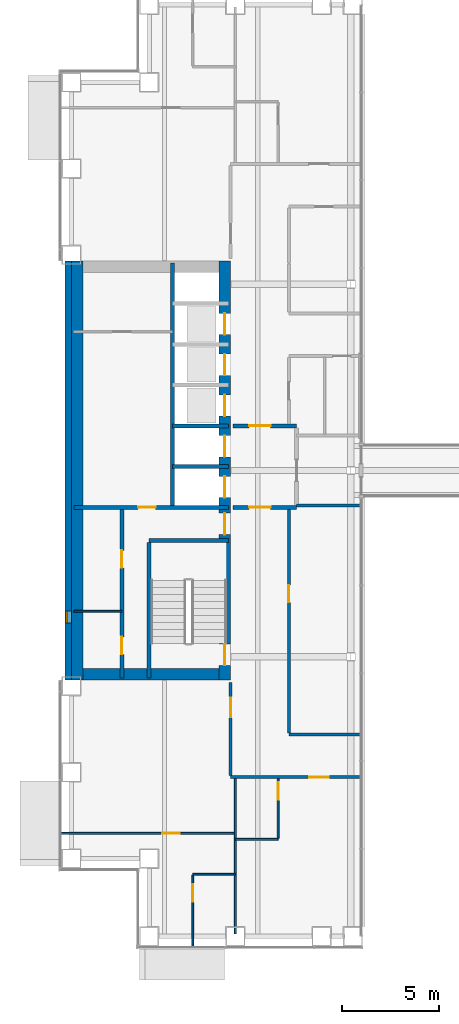
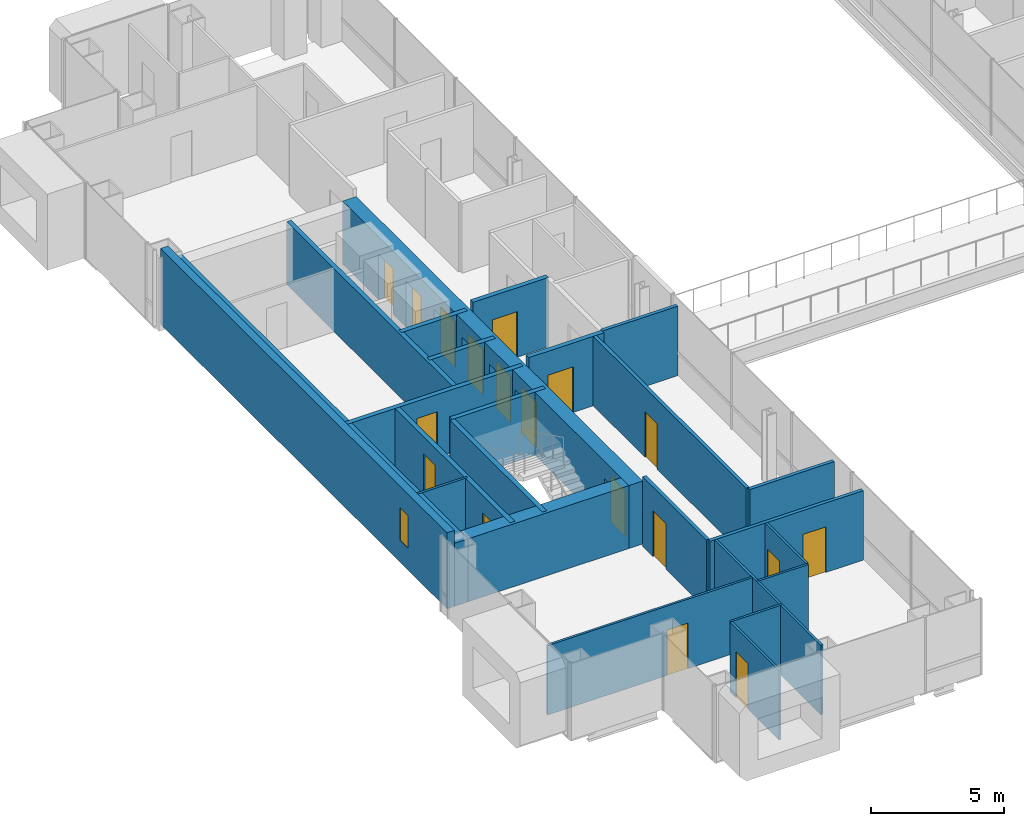
# One storey, part 14 of 21: 25 walls, 18 doors, 1 window, 19 openings.
"""IFC4 building model written with IfcOpenShell, lengths in metres."""

from ifc_helpers import new_model, si_unit, direction, frame, frame_2d, origin, place, context, subcontext, project, spatial, rectangle, extrude, material, layer, layer_set, type_object, element, fill, save


model = new_model("IFC4")

# Units and contexts
model_context = context("Model", 3, precision=1e-05, world=origin(), true_north=direction((0.0, 1.0)))
body_context = subcontext(model_context, "Body", "Model", "MODEL_VIEW")
ifc_project = project(units=[si_unit("LENGTHUNIT", "METRE"), si_unit("AREAUNIT", "SQUARE_METRE"), si_unit("VOLUMEUNIT", "CUBIC_METRE"), si_unit("PLANEANGLEUNIT", "RADIAN"), si_unit("MASSUNIT", "GRAM", prefix="KILO")], contexts=[model_context])

# Site, building, storey
site_placement = place(None, origin())
site = spatial("IfcSite", under=ifc_project, at=site_placement, CompositionType="ELEMENT")
building_placement = place(site_placement, origin())
building = spatial("IfcBuilding", under=site, at=building_placement, Name="Cobrizo Arcos Hotel Tower", CompositionType="ELEMENT")
storey_placement = place(building_placement, frame((0.0, 0.0, 81.0)))
storey = spatial("IfcBuildingStorey", under=building, at=storey_placement, Name="L19", CompositionType="ELEMENT", Elevation=81.0)

# Wall, opening, door
ifc_material_1 = material(Name="Gypsum board partition")
ifc_layer_1 = layer(ifc_material_1, 0.14990234375)
ifc_layer_set_1 = layer_set([ifc_layer_1], Name="Corridor wall EI 60 150")
wall_type_1 = type_object("IfcWallType", Name="Corridor wall EI 60 150", PredefinedType="PARTITIONING", material=ifc_layer_set_1)
wall_1_placement = place(storey_placement, frame((-15.800048828125, -15.800048828125, 0.0), z_axis=(0.0, 0.0, 1.0), x_axis=(1.0, 0.0, 0.0)))
wall_1 = element("IfcWall", 1, at=wall_1_placement, inside=storey, type_object=wall_type_1, Name="Partition 007", PredefinedType="PARTITIONING", context=body_context, shape_type="SweptSolid", body=[
    extrude(rectangle(XDim=6.679931640625, YDim=0.14990234375, at=frame_2d((3.33984375, 0.0))), origin(), (0.0, 0.0, 1.0), 3.199951171875),
])
opening_1_placement = place(wall_1_placement, frame((4.047119140625, 0.0, 0.0)))
opening_1 = element("IfcOpeningElement", 2, at=opening_1_placement, cuts=wall_1, Name="Opening GD-04", PredefinedType="OPENING", context=body_context, shape_type="SweptSolid", body=[
    extrude(rectangle(XDim=1.0, YDim=2.10009765625, at=frame_2d((0.5, 1.050048828125))), frame((0.0, 0.0869140625, 0.0), z_axis=(0.0, -1.0, 0.0), x_axis=(1.0, 0.0, 0.0)), (0.0, 0.0, 1.0), 0.173828125),
])
ifc_material_2 = material(Name="Timber door leaf", Category="wood")
door_type_1 = type_object("IfcDoorType", Name="Guest room door FD30S 1000x2100", OperationType="SINGLE_SWING_LEFT", PredefinedType="DOOR", material=ifc_material_2)
door_1_placement = place(opening_1_placement, origin())
door_1 = element("IfcDoor", 3, at=door_1_placement, inside=storey, type_object=door_type_1, Name="Door GD-04", OperationType="SINGLE_SWING_LEFT", OverallHeight=2.10009765625, OverallWidth=1.0, PredefinedType="DOOR", context=body_context, shape_type="SweptSolid", body=[
    extrude(rectangle(XDim=1.0, YDim=2.10009765625, at=frame_2d((0.5, 1.050048828125))), frame((0.0, 0.02490234375, 0.0), z_axis=(0.0, -1.0, 0.0), x_axis=(1.0, 0.0, 0.0)), (0.0, 0.0, 1.0), 0.050048828125),
])
fill(opening_1, door_1)

# Walls
wall_2_placement = place(storey_placement, frame((-12.800048828125, -13.60009765625, 0.0), z_axis=(0.0, 0.0, 1.0), x_axis=(1.0, 0.0, 0.0)))
element("IfcWall", 4, at=wall_2_placement, inside=storey, type_object=wall_type_1, Name="Partition 009", PredefinedType="PARTITIONING", context=body_context, shape_type="SweptSolid", body=[
    extrude(rectangle(XDim=3.679931640625, YDim=0.14990234375, at=frame_2d((1.83984375, 0.0))), origin(), (0.0, 0.0, 1.0), 3.199951171875),
])
wall_3_placement = place(storey_placement, frame((-12.39990234375, -1.800048828125, 0.0), z_axis=(0.0, 0.0, 1.0), x_axis=(1.0, 0.0, 0.0)))
element("IfcWall", 5, at=wall_3_placement, inside=storey, type_object=wall_type_1, Name="Partition 019", PredefinedType="PARTITIONING", context=body_context, shape_type="SweptSolid", body=[
    extrude(rectangle(XDim=3.27978515625, YDim=0.14990234375, at=frame_2d((1.639892578125, 0.0))), origin(), (0.0, 0.0, 1.0), 3.199951171875),
])

# Wall, opening, door
wall_4_placement = place(storey_placement, frame((-15.800048828125, -15.72509765625, 0.0), z_axis=(0.0, 0.0, 1.0), x_axis=(0.0, 1.0, 0.0)))
wall_4 = element("IfcWall", 6, at=wall_4_placement, inside=storey, type_object=wall_type_1, Name="Partition 055", PredefinedType="PARTITIONING", context=body_context, shape_type="SweptSolid", body=[
    extrude(rectangle(XDim=4.80517578125, YDim=0.14990234375, at=frame_2d((2.402587890625, 0.0))), origin(), (0.0, 0.0, 1.0), 3.199951171875),
])
opening_2_placement = place(wall_4_placement, frame((3.02490234375, 0.0, 0.0)))
opening_2 = element("IfcOpeningElement", 7, at=opening_2_placement, cuts=wall_4, Name="Opening GD-05", PredefinedType="OPENING", context=body_context, shape_type="SweptSolid", body=[
    extrude(rectangle(XDim=1.0, YDim=2.10009765625, at=frame_2d((0.5, 1.050048828125))), frame((0.0, 0.0869140625, 0.0), z_axis=(0.0, -1.0, 0.0), x_axis=(1.0, 0.0, 0.0)), (0.0, 0.0, 1.0), 0.173828125),
])
door_2_placement = place(opening_2_placement, origin())
door_2 = element("IfcDoor", 8, at=door_2_placement, inside=storey, type_object=door_type_1, Name="Door GD-05", OperationType="SINGLE_SWING_RIGHT", OverallHeight=2.10009765625, OverallWidth=1.0, PredefinedType="DOOR", context=body_context, shape_type="SweptSolid", body=[
    extrude(rectangle(XDim=1.0, YDim=2.10009765625, at=frame_2d((0.5, 1.050048828125))), frame((0.0, 0.02490234375, 0.0), z_axis=(0.0, -1.0, 0.0), x_axis=(1.0, 0.0, 0.0)), (0.0, 0.0, 1.0), 0.050048828125),
])
fill(opening_2, door_2)

wall_5_placement = place(storey_placement, frame((-12.800048828125, -13.52490234375, 0.0), z_axis=(0.0, 0.0, 1.0), x_axis=(0.0, 1.0, 0.0)))
wall_5 = element("IfcWall", 9, at=wall_5_placement, inside=storey, type_object=wall_type_1, Name="Partition 061", PredefinedType="PARTITIONING", context=body_context, shape_type="SweptSolid", body=[
    extrude(rectangle(XDim=11.52490234375, YDim=0.14990234375, at=frame_2d((5.762451171875, 0.0))), origin(), (0.0, 0.0, 1.0), 3.199951171875),
])
opening_3_placement = place(wall_5_placement, frame((6.72509765625, 0.0, 0.0)))
opening_3 = element("IfcOpeningElement", 10, at=opening_3_placement, cuts=wall_5, Name="Opening RD-17", PredefinedType="OPENING", context=body_context, shape_type="SweptSolid", body=[
    extrude(rectangle(XDim=0.89990234375, YDim=2.10009765625, at=frame_2d((0.449951171875, 1.050048828125))), frame((0.0, 0.0869140625, 0.0), z_axis=(0.0, -1.0, 0.0), x_axis=(1.0, 0.0, 0.0)), (0.0, 0.0, 1.0), 0.173828125),
])
door_type_2 = type_object("IfcDoorType", Name="Room door FD30 900x2100", OperationType="SINGLE_SWING_LEFT", PredefinedType="DOOR", material=ifc_material_2)
door_3_placement = place(opening_3_placement, origin())
door_3 = element("IfcDoor", 11, at=door_3_placement, inside=storey, type_object=door_type_2, Name="Door RD-17", OperationType="SINGLE_SWING_RIGHT", OverallHeight=2.10009765625, OverallWidth=0.89990234375, PredefinedType="DOOR", context=body_context, shape_type="SweptSolid", body=[
    extrude(rectangle(XDim=0.89990234375, YDim=2.10009765625, at=frame_2d((0.449951171875, 1.050048828125))), frame((0.0, 0.02490234375, 0.0), z_axis=(0.0, -1.0, 0.0), x_axis=(1.0, 0.0, 0.0)), (0.0, 0.0, 1.0), 0.050048828125),
])
fill(opening_3, door_3)

# Wall, opening, window
ifc_material_3 = material(Name="Aluminium composite panel pale metal", Category="aluminium")
ifc_layer_2 = layer(ifc_material_3, 0.324951171875)
ifc_layer_set_2 = layer_set([ifc_layer_2], Name="EW-1 insulated panel wall 325")
wall_type_2 = type_object("IfcWallType", Name="EW-1 insulated panel wall 325", PredefinedType="SOLIDWALL", material=ifc_layer_set_2)
wall_6_placement = place(storey_placement, frame((-24.16259765625, 10.800048828125, 0.0), z_axis=(0.0, 0.0, 1.0), x_axis=(0.0, -1.0, 0.0)))
wall_6 = element("IfcWall", 12, at=wall_6_placement, inside=storey, type_object=wall_type_2, Name="Core face wall L19 W", PredefinedType="SOLIDWALL", context=body_context, shape_type="SweptSolid", body=[
    extrude(rectangle(XDim=21.60009765625, YDim=0.324951171875, at=frame_2d((10.800048828125, 0.0))), origin(), (0.0, 0.0, 1.0), 3.5),
])
opening_4_placement = place(wall_6_placement, frame((18.050048828125, 0.0, 1.0)))
opening_4 = element("IfcOpeningElement", 13, at=opening_4_placement, cuts=wall_6, Name="Opening W-34", PredefinedType="OPENING", context=body_context, shape_type="SweptSolid", body=[
    extrude(rectangle(XDim=0.60009765625, YDim=1.5, at=frame_2d((0.300048828125, 0.75))), frame((0.0, 0.174560546875, 0.0), z_axis=(0.0, -1.0, 0.0), x_axis=(1.0, 0.0, 0.0)), (0.0, 0.0, 1.0), 0.348876953125),
])
ifc_material_4 = material(Name="Aluminium 6063-T6 and clear laminated glass", Category="aluminium")
window_type = type_object("IfcWindowType", Name="W-C1 core stair slot window 600x1500", PartitioningType="SINGLE_PANEL", PredefinedType="WINDOW", material=ifc_material_4)
window_placement = place(opening_4_placement, origin())
window = element("IfcWindow", 14, at=window_placement, inside=storey, type_object=window_type, Name="Core face wall L19 W window W-34", OverallHeight=1.5, OverallWidth=0.60009765625, PartitioningType="SINGLE_PANEL", PredefinedType="WINDOW", context=body_context, shape_type="SweptSolid", body=[
    extrude(rectangle(XDim=0.60009765625, YDim=1.5, at=frame_2d((0.300048828125, 0.75))), frame((0.0, -0.072509765625, 0.0), z_axis=(0.0, -1.0, 0.0), x_axis=(1.0, 0.0, 0.0)), (0.0, 0.0, 1.0), 0.06005859375),
])
fill(opening_4, window)

# Walls
ifc_layer_3 = layer(ifc_material_1, 0.10009765625)
ifc_layer_set_3 = layer_set([ifc_layer_3], Name="Partition EI 30 100")
wall_type_3 = type_object("IfcWallType", Name="Partition EI 30 100", PredefinedType="PARTITIONING", material=ifc_layer_set_3)
for number, where, z_axis, x_axis, name in (
    (15, (-17.75, -20.800048828125, 0.0), (0.0, 0.0, 1.0), (1.0, 0.0, 0.0), "Partition 001"),
    (16, (-15.550048828125, -19.0, 0.0), (0.0, 0.0, 1.0), (1.0, 0.0, 0.0), "Partition 003"),
):
    element("IfcWall", number, at=place(storey_placement, frame(where, z_axis=z_axis, x_axis=x_axis)), inside=storey, type_object=wall_type_3, Name=name, PredefinedType="PARTITIONING", context=body_context, shape_type="SweptSolid", body=[
        extrude(rectangle(XDim=2.199951171875, YDim=0.10009765625, at=frame_2d((1.10009765625, 0.0))), origin(), (0.0, 0.0, 1.0), 3.199951171875),
    ])

# Wall, opening, door
wall_7_placement = place(storey_placement, frame((-24.530029296875, -18.699951171875, 0.0), z_axis=(0.0, 0.0, 1.0), x_axis=(1.0, 0.0, 0.0)))
wall_7 = element("IfcWall", 17, at=wall_7_placement, inside=storey, type_object=wall_type_3, Name="Partition 005", PredefinedType="PARTITIONING", context=body_context, shape_type="SweptSolid", body=[
    extrude(rectangle(XDim=8.97998046875, YDim=0.10009765625, at=frame_2d((4.489990234375, 0.0))), origin(), (0.0, 0.0, 1.0), 3.199951171875),
])
opening_5_placement = place(wall_7_placement, frame((5.201904296875, 0.0, 0.0)))
opening_5 = element("IfcOpeningElement", 18, at=opening_5_placement, cuts=wall_7, Name="Opening RD-09", PredefinedType="OPENING", context=body_context, shape_type="SweptSolid", body=[
    extrude(rectangle(XDim=0.89990234375, YDim=2.10009765625, at=frame_2d((0.449951171875, 1.050048828125))), frame((0.0, 0.06201171875, 0.0), z_axis=(0.0, -1.0, 0.0), x_axis=(1.0, 0.0, 0.0)), (0.0, 0.0, 1.0), 0.1240234375),
])
door_4_placement = place(opening_5_placement, origin())
door_4 = element("IfcDoor", 19, at=door_4_placement, inside=storey, type_object=door_type_2, Name="Door RD-09", OperationType="SINGLE_SWING_LEFT", OverallHeight=2.10009765625, OverallWidth=0.89990234375, PredefinedType="DOOR", context=body_context, shape_type="SweptSolid", body=[
    extrude(rectangle(XDim=0.89990234375, YDim=2.10009765625, at=frame_2d((0.449951171875, 1.050048828125))), frame((0.0, 0.02490234375, 0.0), z_axis=(0.0, -1.0, 0.0), x_axis=(1.0, 0.0, 0.0)), (0.0, 0.0, 1.0), 0.050048828125),
])
fill(opening_5, door_4)

# Wall
wall_8_placement = place(storey_placement, frame((-23.8798828125, -7.25, 0.0), z_axis=(0.0, 0.0, 1.0), x_axis=(1.0, 0.0, 0.0)))
element("IfcWall", 20, at=wall_8_placement, inside=storey, type_object=wall_type_3, Name="Partition 011", PredefinedType="PARTITIONING", context=body_context, shape_type="SweptSolid", body=[
    extrude(rectangle(XDim=2.47998046875, YDim=0.10009765625, at=frame_2d((1.239990234375, 0.0))), origin(), (0.0, 0.0, 1.0), 2.89990234375),
])

# Wall, opening, door
wall_9_placement = place(storey_placement, frame((-17.75, -24.530029296875, 0.0), z_axis=(0.0, 0.0, 1.0), x_axis=(0.0, 1.0, 0.0)))
wall_9 = element("IfcWall", 21, at=wall_9_placement, inside=storey, type_object=wall_type_3, Name="Partition 053", PredefinedType="PARTITIONING", context=body_context, shape_type="SweptSolid", body=[
    extrude(rectangle(XDim=3.679931640625, YDim=0.10009765625, at=frame_2d((1.83984375, 0.0))), origin(), (0.0, 0.0, 1.0), 3.199951171875),
])
opening_6_placement = place(wall_9_placement, frame((2.320068359375, 0.0, 0.0)))
opening_6 = element("IfcOpeningElement", 22, at=opening_6_placement, cuts=wall_9, Name="Opening ED-05", PredefinedType="OPENING", context=body_context, shape_type="SweptSolid", body=[
    extrude(rectangle(XDim=0.89990234375, YDim=2.10009765625, at=frame_2d((0.449951171875, 1.050048828125))), frame((0.0, 0.06201171875, 0.0), z_axis=(0.0, -1.0, 0.0), x_axis=(1.0, 0.0, 0.0)), (0.0, 0.0, 1.0), 0.1240234375),
])
door_type_3 = type_object("IfcDoorType", Name="En-suite door 900x2100", OperationType="SINGLE_SWING_LEFT", PredefinedType="DOOR", material=ifc_material_2)
door_5_placement = place(opening_6_placement, origin())
door_5 = element("IfcDoor", 23, at=door_5_placement, inside=storey, type_object=door_type_3, Name="Door ED-05", OperationType="SINGLE_SWING_RIGHT", OverallHeight=2.10009765625, OverallWidth=0.89990234375, PredefinedType="DOOR", context=body_context, shape_type="SweptSolid", body=[
    extrude(rectangle(XDim=0.89990234375, YDim=2.10009765625, at=frame_2d((0.449951171875, 1.050048828125))), frame((0.0, 0.02490234375, 0.0), z_axis=(0.0, -1.0, 0.0), x_axis=(1.0, 0.0, 0.0)), (0.0, 0.0, 1.0), 0.050048828125),
])
fill(opening_6, door_5)

# Wall
wall_10_placement = place(storey_placement, frame((-15.550048828125, -23.8798828125, 0.0), z_axis=(0.0, 0.0, 1.0), x_axis=(0.0, 1.0, 0.0)))
element("IfcWall", 24, at=wall_10_placement, inside=storey, type_object=wall_type_3, Name="Partition 057", PredefinedType="PARTITIONING", context=body_context, shape_type="SweptSolid", body=[
    extrude(rectangle(XDim=8.0048828125, YDim=0.10009765625, at=frame_2d((4.00244140625, 0.0))), origin(), (0.0, 0.0, 1.0), 3.199951171875),
])

# Wall, opening, door
wall_11_placement = place(storey_placement, frame((-13.35009765625, -18.949951171875, 0.0), z_axis=(0.0, 0.0, 1.0), x_axis=(0.0, 1.0, 0.0)))
wall_11 = element("IfcWall", 25, at=wall_11_placement, inside=storey, type_object=wall_type_3, Name="Partition 059", PredefinedType="PARTITIONING", context=body_context, shape_type="SweptSolid", body=[
    extrude(rectangle(XDim=3.074951171875, YDim=0.10009765625, at=frame_2d((1.53759765625, 0.0))), origin(), (0.0, 0.0, 1.0), 3.199951171875),
])
opening_7_placement = place(wall_11_placement, frame((1.99609375, 0.0, 0.0)))
opening_7 = element("IfcOpeningElement", 26, at=opening_7_placement, cuts=wall_11, Name="Opening ED-04", PredefinedType="OPENING", context=body_context, shape_type="SweptSolid", body=[
    extrude(rectangle(XDim=0.89990234375, YDim=2.10009765625, at=frame_2d((0.449951171875, 1.050048828125))), frame((0.0, 0.06201171875, 0.0), z_axis=(0.0, -1.0, 0.0), x_axis=(1.0, 0.0, 0.0)), (0.0, 0.0, 1.0), 0.1240234375),
])
door_6_placement = place(opening_7_placement, origin())
door_6 = element("IfcDoor", 27, at=door_6_placement, inside=storey, type_object=door_type_3, Name="Door ED-04", OperationType="SINGLE_SWING_RIGHT", OverallHeight=2.10009765625, OverallWidth=0.89990234375, PredefinedType="DOOR", context=body_context, shape_type="SweptSolid", body=[
    extrude(rectangle(XDim=0.89990234375, YDim=2.10009765625, at=frame_2d((0.449951171875, 1.050048828125))), frame((0.0, 0.02490234375, 0.0), z_axis=(0.0, -1.0, 0.0), x_axis=(1.0, 0.0, 0.0)), (0.0, 0.0, 1.0), 0.050048828125),
])
fill(opening_7, door_6)

# Wall, openings, doors
ifc_material_5 = material(Name="Concrete f'c 60 MPa", Category="concrete")
ifc_layer_4 = layer(ifc_material_5, 0.60009765625)
ifc_layer_set_4 = layer_set([ifc_layer_4], Name="RC core wall 600 f'c 60")
wall_type_4 = type_object("IfcWallType", Name="RC core wall 600 f'c 60", PredefinedType="SHEAR", material=ifc_layer_set_4)
wall_12_placement = place(storey_placement, frame((-16.10009765625, -10.800048828125, 0.0), z_axis=(0.0, 0.0, 1.0), x_axis=(0.0, 1.0, 0.0)))
wall_12 = element("IfcWall", 28, at=wall_12_placement, inside=storey, type_object=wall_type_4, Name="Core wall CW1, west core, inner face, L19", PredefinedType="SHEAR", context=body_context, shape_type="SweptSolid", body=[
    extrude(rectangle(XDim=21.60009765625, YDim=0.60009765625, at=frame_2d((10.800048828125, 0.0))), origin(), (0.0, 0.0, 1.0), 2.89990234375),
])
opening_8_placement = place(wall_12_placement, frame((9.39990234375, 0.0, 0.0)))
opening_8 = element("IfcOpeningElement", 29, at=opening_8_placement, cuts=wall_12, Name="Opening LD-01", PredefinedType="OPENING", context=body_context, shape_type="SweptSolid", body=[
    extrude(rectangle(XDim=1.10009765625, YDim=2.10009765625, at=frame_2d((0.550048828125, 1.050048828125))), frame((0.0, 0.31201171875, 0.0), z_axis=(0.0, -1.0, 0.0), x_axis=(1.0, 0.0, 0.0)), (0.0, 0.0, 1.0), 0.6240234375),
])
opening_9_placement = place(wall_12_placement, frame((11.5, 0.0, 0.0)))
opening_9 = element("IfcOpeningElement", 30, at=opening_9_placement, cuts=wall_12, Name="Opening LD-02", PredefinedType="OPENING", context=body_context, shape_type="SweptSolid", body=[
    extrude(rectangle(XDim=1.10009765625, YDim=2.10009765625, at=frame_2d((0.550048828125, 1.050048828125))), frame((0.0, 0.31201171875, 0.0), z_axis=(0.0, -1.0, 0.0), x_axis=(1.0, 0.0, 0.0)), (0.0, 0.0, 1.0), 0.6240234375),
])
opening_10_placement = place(wall_12_placement, frame((13.60009765625, 0.0, 0.0)))
opening_10 = element("IfcOpeningElement", 31, at=opening_10_placement, cuts=wall_12, Name="Opening LD-03", PredefinedType="OPENING", context=body_context, shape_type="SweptSolid", body=[
    extrude(rectangle(XDim=1.10009765625, YDim=2.10009765625, at=frame_2d((0.550048828125, 1.050048828125))), frame((0.0, 0.31201171875, 0.0), z_axis=(0.0, -1.0, 0.0), x_axis=(1.0, 0.0, 0.0)), (0.0, 0.0, 1.0), 0.6240234375),
])
opening_11_placement = place(wall_12_placement, frame((15.699951171875, 0.0, 0.0)))
opening_11 = element("IfcOpeningElement", 32, at=opening_11_placement, cuts=wall_12, Name="Opening LD-04", PredefinedType="OPENING", context=body_context, shape_type="SweptSolid", body=[
    extrude(rectangle(XDim=1.10009765625, YDim=2.10009765625, at=frame_2d((0.550048828125, 1.050048828125))), frame((0.0, 0.31201171875, 0.0), z_axis=(0.0, -1.0, 0.0), x_axis=(1.0, 0.0, 0.0)), (0.0, 0.0, 1.0), 0.6240234375),
])
opening_12_placement = place(wall_12_placement, frame((17.800048828125, 0.0, 0.0)))
opening_12 = element("IfcOpeningElement", 33, at=opening_12_placement, cuts=wall_12, Name="Opening LD-05", PredefinedType="OPENING", context=body_context, shape_type="SweptSolid", body=[
    extrude(rectangle(XDim=1.10009765625, YDim=2.10009765625, at=frame_2d((0.550048828125, 1.050048828125))), frame((0.0, 0.31201171875, 0.0), z_axis=(0.0, -1.0, 0.0), x_axis=(1.0, 0.0, 0.0)), (0.0, 0.0, 1.0), 0.6240234375),
])
opening_13_placement = place(wall_12_placement, frame((0.758056640625, 0.0, 0.0)))
opening_13 = element("IfcOpeningElement", 34, at=opening_13_placement, cuts=wall_12, Name="Opening SD-01", PredefinedType="OPENING", context=body_context, shape_type="SweptSolid", body=[
    extrude(rectangle(XDim=1.10009765625, YDim=2.10009765625, at=frame_2d((0.550048828125, 1.050048828125))), frame((0.0, 0.31201171875, 0.0), z_axis=(0.0, -1.0, 0.0), x_axis=(1.0, 0.0, 0.0)), (0.0, 0.0, 1.0), 0.6240234375),
])
opening_14_placement = place(wall_12_placement, frame((7.5, 0.0, 0.0)))
opening_14 = element("IfcOpeningElement", 35, at=opening_14_placement, cuts=wall_12, Name="Opening FD-01", PredefinedType="OPENING", context=body_context, shape_type="SweptSolid", body=[
    extrude(rectangle(XDim=1.10009765625, YDim=2.10009765625, at=frame_2d((0.550048828125, 1.050048828125))), frame((0.0, 0.31201171875, 0.0), z_axis=(0.0, -1.0, 0.0), x_axis=(1.0, 0.0, 0.0)), (0.0, 0.0, 1.0), 0.6240234375),
])
ifc_material_6 = material(Name="Steel door leaf", Category="steel")
door_type_4 = type_object("IfcDoorType", Name="Fire door FD60 1100x2100", OperationType="SINGLE_SWING_LEFT", PredefinedType="DOOR", material=ifc_material_6)
door_7_placement = place(opening_14_placement, origin())
door_7 = element("IfcDoor", 36, at=door_7_placement, inside=storey, type_object=door_type_4, Name="Door FD-01", OperationType="SINGLE_SWING_RIGHT", OverallHeight=2.10009765625, OverallWidth=1.10009765625, PredefinedType="DOOR", context=body_context, shape_type="SweptSolid", body=[
    extrude(rectangle(XDim=1.10009765625, YDim=2.10009765625, at=frame_2d((0.550048828125, 1.050048828125))), frame((0.0, 0.02490234375, 0.0), z_axis=(0.0, -1.0, 0.0), x_axis=(1.0, 0.0, 0.0)), (0.0, 0.0, 1.0), 0.050048828125),
])
fill(opening_14, door_7)
door_type_5 = type_object("IfcDoorType", Name="Lift landing door 1100x2100", OperationType="SLIDING_TO_LEFT", PredefinedType="DOOR", material=ifc_material_6)
door_8_placement = place(opening_8_placement, origin())
door_8 = element("IfcDoor", 37, at=door_8_placement, inside=storey, type_object=door_type_5, Name="Lift landing door LD-01", OperationType="SLIDING_TO_LEFT", OverallHeight=2.10009765625, OverallWidth=1.10009765625, PredefinedType="DOOR", context=body_context, shape_type="SweptSolid", body=[
    extrude(rectangle(XDim=1.10009765625, YDim=2.10009765625, at=frame_2d((0.550048828125, 1.050048828125))), frame((0.0, 0.02490234375, 0.0), z_axis=(0.0, -1.0, 0.0), x_axis=(1.0, 0.0, 0.0)), (0.0, 0.0, 1.0), 0.050048828125),
])
fill(opening_8, door_8)
door_9_placement = place(opening_9_placement, origin())
door_9 = element("IfcDoor", 38, at=door_9_placement, inside=storey, type_object=door_type_5, Name="Lift landing door LD-02", OperationType="SLIDING_TO_LEFT", OverallHeight=2.10009765625, OverallWidth=1.10009765625, PredefinedType="DOOR", context=body_context, shape_type="SweptSolid", body=[
    extrude(rectangle(XDim=1.10009765625, YDim=2.10009765625, at=frame_2d((0.550048828125, 1.050048828125))), frame((0.0, 0.02490234375, 0.0), z_axis=(0.0, -1.0, 0.0), x_axis=(1.0, 0.0, 0.0)), (0.0, 0.0, 1.0), 0.050048828125),
])
fill(opening_9, door_9)
door_10_placement = place(opening_10_placement, origin())
door_10 = element("IfcDoor", 39, at=door_10_placement, inside=storey, type_object=door_type_5, Name="Lift landing door LD-03", OperationType="SLIDING_TO_LEFT", OverallHeight=2.10009765625, OverallWidth=1.10009765625, PredefinedType="DOOR", context=body_context, shape_type="SweptSolid", body=[
    extrude(rectangle(XDim=1.10009765625, YDim=2.10009765625, at=frame_2d((0.550048828125, 1.050048828125))), frame((0.0, 0.02490234375, 0.0), z_axis=(0.0, -1.0, 0.0), x_axis=(1.0, 0.0, 0.0)), (0.0, 0.0, 1.0), 0.050048828125),
])
fill(opening_10, door_10)
door_11_placement = place(opening_11_placement, origin())
door_11 = element("IfcDoor", 40, at=door_11_placement, inside=storey, type_object=door_type_5, Name="Lift landing door LD-04", OperationType="SLIDING_TO_LEFT", OverallHeight=2.10009765625, OverallWidth=1.10009765625, PredefinedType="DOOR", context=body_context, shape_type="SweptSolid", body=[
    extrude(rectangle(XDim=1.10009765625, YDim=2.10009765625, at=frame_2d((0.550048828125, 1.050048828125))), frame((0.0, 0.02490234375, 0.0), z_axis=(0.0, -1.0, 0.0), x_axis=(1.0, 0.0, 0.0)), (0.0, 0.0, 1.0), 0.050048828125),
])
fill(opening_11, door_11)
door_12_placement = place(opening_12_placement, origin())
door_12 = element("IfcDoor", 41, at=door_12_placement, inside=storey, type_object=door_type_5, Name="Lift landing door LD-05", OperationType="SLIDING_TO_LEFT", OverallHeight=2.10009765625, OverallWidth=1.10009765625, PredefinedType="DOOR", context=body_context, shape_type="SweptSolid", body=[
    extrude(rectangle(XDim=1.10009765625, YDim=2.10009765625, at=frame_2d((0.550048828125, 1.050048828125))), frame((0.0, 0.02490234375, 0.0), z_axis=(0.0, -1.0, 0.0), x_axis=(1.0, 0.0, 0.0)), (0.0, 0.0, 1.0), 0.050048828125),
])
fill(opening_12, door_12)
door_type_6 = type_object("IfcDoorType", Name="Stair door FD60S 1100x2100", OperationType="SINGLE_SWING_LEFT", PredefinedType="DOOR", material=ifc_material_6)
door_13_placement = place(opening_13_placement, origin())
door_13 = element("IfcDoor", 42, at=door_13_placement, inside=storey, type_object=door_type_6, Name="Door SD-01", OperationType="SINGLE_SWING_RIGHT", OverallHeight=2.10009765625, OverallWidth=1.10009765625, PredefinedType="DOOR", context=body_context, shape_type="SweptSolid", body=[
    extrude(rectangle(XDim=1.10009765625, YDim=2.10009765625, at=frame_2d((0.550048828125, 1.050048828125))), frame((0.0, 0.02490234375, 0.0), z_axis=(0.0, -1.0, 0.0), x_axis=(1.0, 0.0, 0.0)), (0.0, 0.0, 1.0), 0.050048828125),
])
fill(opening_13, door_13)

# Walls
wall_13_placement = place(storey_placement, frame((-23.699951171875, -10.800048828125, 0.0), z_axis=(0.0, 0.0, 1.0), x_axis=(0.0, 1.0, 0.0)))
element("IfcWall", 43, at=wall_13_placement, inside=storey, type_object=wall_type_4, Name="Core wall CW1, west core, outer face, L19", PredefinedType="SHEAR", context=body_context, shape_type="SweptSolid", body=[
    extrude(rectangle(XDim=21.60009765625, YDim=0.60009765625, at=frame_2d((10.800048828125, 0.0))), origin(), (0.0, 0.0, 1.0), 2.89990234375),
])
wall_14_placement = place(storey_placement, frame((-23.39990234375, -10.5, 0.0), z_axis=(0.0, 0.0, 1.0), x_axis=(1.0, 0.0, 0.0)))
element("IfcWall", 44, at=wall_14_placement, inside=storey, type_object=wall_type_4, Name="Core wall CW1, west core, south end, L19", PredefinedType="SHEAR", context=body_context, shape_type="SweptSolid", body=[
    extrude(rectangle(XDim=7.0, YDim=0.60009765625, at=frame_2d((3.5, 0.0))), origin(), (0.0, 0.0, 1.0), 2.89990234375),
])

# Wall, opening, door
ifc_layer_5 = layer(ifc_material_1, 0.199951171875)
ifc_layer_set_5 = layer_set([ifc_layer_5], Name="Shaft wall EI 120 200")
wall_type_5 = type_object("IfcWallType", Name="Shaft wall EI 120 200", PredefinedType="PARTITIONING", material=ifc_layer_set_5)
wall_15_placement = place(storey_placement, frame((-23.8798828125, -1.89990234375, 0.0), z_axis=(0.0, 0.0, 1.0), x_axis=(1.0, 0.0, 0.0)))
wall_15 = element("IfcWall", 45, at=wall_15_placement, inside=storey, type_object=wall_type_5, Name="Partition 015", PredefinedType="PARTITIONING", context=body_context, shape_type="SweptSolid", body=[
    extrude(rectangle(XDim=7.9599609375, YDim=0.199951171875, at=frame_2d((3.97998046875, 0.0))), origin(), (0.0, 0.0, 1.0), 2.89990234375),
])
opening_15_placement = place(wall_15_placement, frame((3.320068359375, 0.0, 0.0)))
opening_15 = element("IfcOpeningElement", 46, at=opening_15_placement, cuts=wall_15, Name="Opening RD-03", PredefinedType="OPENING", context=body_context, shape_type="SweptSolid", body=[
    extrude(rectangle(XDim=0.89990234375, YDim=2.10009765625, at=frame_2d((0.449951171875, 1.050048828125))), frame((0.0, 0.112060546875, 0.0), z_axis=(0.0, -1.0, 0.0), x_axis=(1.0, 0.0, 0.0)), (0.0, 0.0, 1.0), 0.223876953125),
])
door_14_placement = place(opening_15_placement, origin())
door_14 = element("IfcDoor", 47, at=door_14_placement, inside=storey, type_object=door_type_2, Name="Door RD-03", OperationType="SINGLE_SWING_RIGHT", OverallHeight=2.10009765625, OverallWidth=0.89990234375, PredefinedType="DOOR", context=body_context, shape_type="SweptSolid", body=[
    extrude(rectangle(XDim=0.89990234375, YDim=2.10009765625, at=frame_2d((0.449951171875, 1.050048828125))), frame((0.0, 0.02490234375, 0.0), z_axis=(0.0, -1.0, 0.0), x_axis=(1.0, 0.0, 0.0)), (0.0, 0.0, 1.0), 0.050048828125),
])
fill(opening_15, door_14)

wall_16_placement = place(storey_placement, frame((-15.679931640625, -1.89990234375, 0.0), z_axis=(0.0, 0.0, 1.0), x_axis=(1.0, 0.0, 0.0)))
wall_16 = element("IfcWall", 48, at=wall_16_placement, inside=storey, type_object=wall_type_5, Name="Partition 016", PredefinedType="PARTITIONING", context=body_context, shape_type="SweptSolid", body=[
    extrude(rectangle(XDim=3.280029296875, YDim=0.199951171875, at=frame_2d((1.64013671875, 0.0))), origin(), (0.0, 0.0, 1.0), 3.199951171875),
])
opening_16_placement = place(wall_16_placement, frame((0.840087890625, 0.0, 0.0)))
opening_16 = element("IfcOpeningElement", 49, at=opening_16_placement, cuts=wall_16, Name="Opening FD-03", PredefinedType="OPENING", context=body_context, shape_type="SweptSolid", body=[
    extrude(rectangle(XDim=1.10009765625, YDim=2.10009765625, at=frame_2d((0.550048828125, 1.050048828125))), frame((0.0, 0.112060546875, 0.0), z_axis=(0.0, -1.0, 0.0), x_axis=(1.0, 0.0, 0.0)), (0.0, 0.0, 1.0), 0.223876953125),
])
door_15_placement = place(opening_16_placement, origin())
door_15 = element("IfcDoor", 50, at=door_15_placement, inside=storey, type_object=door_type_4, Name="Door FD-03", OperationType="SINGLE_SWING_LEFT", OverallHeight=2.10009765625, OverallWidth=1.10009765625, PredefinedType="DOOR", context=body_context, shape_type="SweptSolid", body=[
    extrude(rectangle(XDim=1.10009765625, YDim=2.10009765625, at=frame_2d((0.550048828125, 1.050048828125))), frame((0.0, 0.02490234375, 0.0), z_axis=(0.0, -1.0, 0.0), x_axis=(1.0, 0.0, 0.0)), (0.0, 0.0, 1.0), 0.050048828125),
])
fill(opening_16, door_15)

# Walls
for number, where, z_axis, x_axis, name in (
    (51, (-18.800048828125, 0.199951171875, 0.0), (0.0, 0.0, 1.0), (1.0, 0.0, 0.0), "Partition 021"),
    (52, (-18.800048828125, 2.300048828125, 0.0), (0.0, 0.0, 1.0), (1.0, 0.0, 0.0), "Partition 025"),
):
    element("IfcWall", number, at=place(storey_placement, frame(where, z_axis=z_axis, x_axis=x_axis)), inside=storey, type_object=wall_type_5, Name=name, PredefinedType="PARTITIONING", context=body_context, shape_type="SweptSolid", body=[
        extrude(rectangle(XDim=2.880126953125, YDim=0.199951171875, at=frame_2d((1.43994140625, 0.0))), origin(), (0.0, 0.0, 1.0), 2.89990234375),
    ])

# Wall, opening, door
wall_17_placement = place(storey_placement, frame((-15.679931640625, 2.300048828125, 0.0), z_axis=(0.0, 0.0, 1.0), x_axis=(1.0, 0.0, 0.0)))
wall_17 = element("IfcWall", 53, at=wall_17_placement, inside=storey, type_object=wall_type_5, Name="Partition 026", PredefinedType="PARTITIONING", context=body_context, shape_type="SweptSolid", body=[
    extrude(rectangle(XDim=3.280029296875, YDim=0.199951171875, at=frame_2d((1.64013671875, 0.0))), origin(), (0.0, 0.0, 1.0), 3.199951171875),
])
opening_17_placement = place(wall_17_placement, frame((0.840087890625, 0.0, 0.0)))
opening_17 = element("IfcOpeningElement", 54, at=opening_17_placement, cuts=wall_17, Name="Opening FD-04", PredefinedType="OPENING", context=body_context, shape_type="SweptSolid", body=[
    extrude(rectangle(XDim=1.10009765625, YDim=2.10009765625, at=frame_2d((0.550048828125, 1.050048828125))), frame((0.0, 0.112060546875, 0.0), z_axis=(0.0, -1.0, 0.0), x_axis=(1.0, 0.0, 0.0)), (0.0, 0.0, 1.0), 0.223876953125),
])
door_16_placement = place(opening_17_placement, origin())
door_16 = element("IfcDoor", 55, at=door_16_placement, inside=storey, type_object=door_type_4, Name="Door FD-04", OperationType="SINGLE_SWING_LEFT", OverallHeight=2.10009765625, OverallWidth=1.10009765625, PredefinedType="DOOR", context=body_context, shape_type="SweptSolid", body=[
    extrude(rectangle(XDim=1.10009765625, YDim=2.10009765625, at=frame_2d((0.550048828125, 1.050048828125))), frame((0.0, 0.02490234375, 0.0), z_axis=(0.0, -1.0, 0.0), x_axis=(1.0, 0.0, 0.0)), (0.0, 0.0, 1.0), 0.050048828125),
])
fill(opening_17, door_16)

# Wall, openings, doors
wall_18_placement = place(storey_placement, frame((-21.39990234375, -10.679931640625, 0.0), z_axis=(0.0, 0.0, 1.0), x_axis=(0.0, 1.0, 0.0)))
wall_18 = element("IfcWall", 56, at=wall_18_placement, inside=storey, type_object=wall_type_5, Name="Partition 050", PredefinedType="PARTITIONING", context=body_context, shape_type="SweptSolid", body=[
    extrude(rectangle(XDim=8.679931640625, YDim=0.199951171875, at=frame_2d((4.33984375, 0.0))), origin(), (0.0, 0.0, 1.0), 2.89990234375),
])
opening_18_placement = place(wall_18_placement, frame((1.2099609375, 0.0, 0.0)))
opening_18 = element("IfcOpeningElement", 57, at=opening_18_placement, cuts=wall_18, Name="Opening RD-01", PredefinedType="OPENING", context=body_context, shape_type="SweptSolid", body=[
    extrude(rectangle(XDim=0.89990234375, YDim=2.10009765625, at=frame_2d((0.449951171875, 1.050048828125))), frame((0.0, 0.112060546875, 0.0), z_axis=(0.0, -1.0, 0.0), x_axis=(1.0, 0.0, 0.0)), (0.0, 0.0, 1.0), 0.223876953125),
])
opening_19_placement = place(wall_18_placement, frame((5.659912109375, 0.0, 0.0)))
opening_19 = element("IfcOpeningElement", 58, at=opening_19_placement, cuts=wall_18, Name="Opening RD-02", PredefinedType="OPENING", context=body_context, shape_type="SweptSolid", body=[
    extrude(rectangle(XDim=0.89990234375, YDim=2.10009765625, at=frame_2d((0.449951171875, 1.050048828125))), frame((0.0, 0.112060546875, 0.0), z_axis=(0.0, -1.0, 0.0), x_axis=(1.0, 0.0, 0.0)), (0.0, 0.0, 1.0), 0.223876953125),
])
door_17_placement = place(opening_18_placement, origin())
door_17 = element("IfcDoor", 59, at=door_17_placement, inside=storey, type_object=door_type_2, Name="Door RD-01", OperationType="SINGLE_SWING_RIGHT", OverallHeight=2.10009765625, OverallWidth=0.89990234375, PredefinedType="DOOR", context=body_context, shape_type="SweptSolid", body=[
    extrude(rectangle(XDim=0.89990234375, YDim=2.10009765625, at=frame_2d((0.449951171875, 1.050048828125))), frame((0.0, 0.02490234375, 0.0), z_axis=(0.0, -1.0, 0.0), x_axis=(1.0, 0.0, 0.0)), (0.0, 0.0, 1.0), 0.050048828125),
])
fill(opening_18, door_17)
door_18_placement = place(opening_19_placement, origin())
door_18 = element("IfcDoor", 60, at=door_18_placement, inside=storey, type_object=door_type_2, Name="Door RD-02", OperationType="SINGLE_SWING_RIGHT", OverallHeight=2.10009765625, OverallWidth=0.89990234375, PredefinedType="DOOR", context=body_context, shape_type="SweptSolid", body=[
    extrude(rectangle(XDim=0.89990234375, YDim=2.10009765625, at=frame_2d((0.449951171875, 1.050048828125))), frame((0.0, 0.02490234375, 0.0), z_axis=(0.0, -1.0, 0.0), x_axis=(1.0, 0.0, 0.0)), (0.0, 0.0, 1.0), 0.050048828125),
])
fill(opening_19, door_18)

# Walls
wall_19_placement = place(storey_placement, frame((-18.800048828125, -1.800048828125, 0.0), z_axis=(0.0, 0.0, 1.0), x_axis=(0.0, 1.0, 0.0)))
element("IfcWall", 61, at=wall_19_placement, inside=storey, type_object=wall_type_5, Name="Partition 052", PredefinedType="PARTITIONING", context=body_context, shape_type="SweptSolid", body=[
    extrude(rectangle(XDim=12.47998046875, YDim=0.199951171875, at=frame_2d((6.239990234375, 0.0))), origin(), (0.0, 0.0, 1.0), 2.89990234375),
])
ifc_material_7 = material(Name="Concrete f'c 40 MPa", Category="concrete")
ifc_layer_6 = layer(ifc_material_7, 0.199951171875)
ifc_layer_set_6 = layer_set([ifc_layer_6], Name="Stair shaft wall 200")
wall_type_6 = type_object("IfcWallType", Name="Stair shaft wall 200", PredefinedType="SHEAR", material=ifc_layer_set_6)
wall_20_placement = place(storey_placement, frame((-20.0, -3.60009765625, 0.0), z_axis=(0.0, 0.0, 1.0), x_axis=(1.0, 0.0, 0.0)))
element("IfcWall", 62, at=wall_20_placement, inside=storey, type_object=wall_type_6, Name="Stair shaft wall W", PredefinedType="SHEAR", context=body_context, shape_type="SweptSolid", body=[
    extrude(rectangle(XDim=4.080078125, YDim=0.199951171875, at=frame_2d((2.0400390625, 0.0))), origin(), (0.0, 0.0, 1.0), 2.89990234375),
])
wall_21_placement = place(storey_placement, frame((-20.0, -10.679931640625, 0.0), z_axis=(0.0, 0.0, 1.0), x_axis=(0.0, 1.0, 0.0)))
element("IfcWall", 63, at=wall_21_placement, inside=storey, type_object=wall_type_6, Name="Stair shaft wall W", PredefinedType="SHEAR", context=body_context, shape_type="SweptSolid", body=[
    extrude(rectangle(XDim=6.97998046875, YDim=0.199951171875, at=frame_2d((3.489990234375, 0.0))), origin(), (0.0, 0.0, 1.0), 2.89990234375),
])

save(model, "model.ifc")
